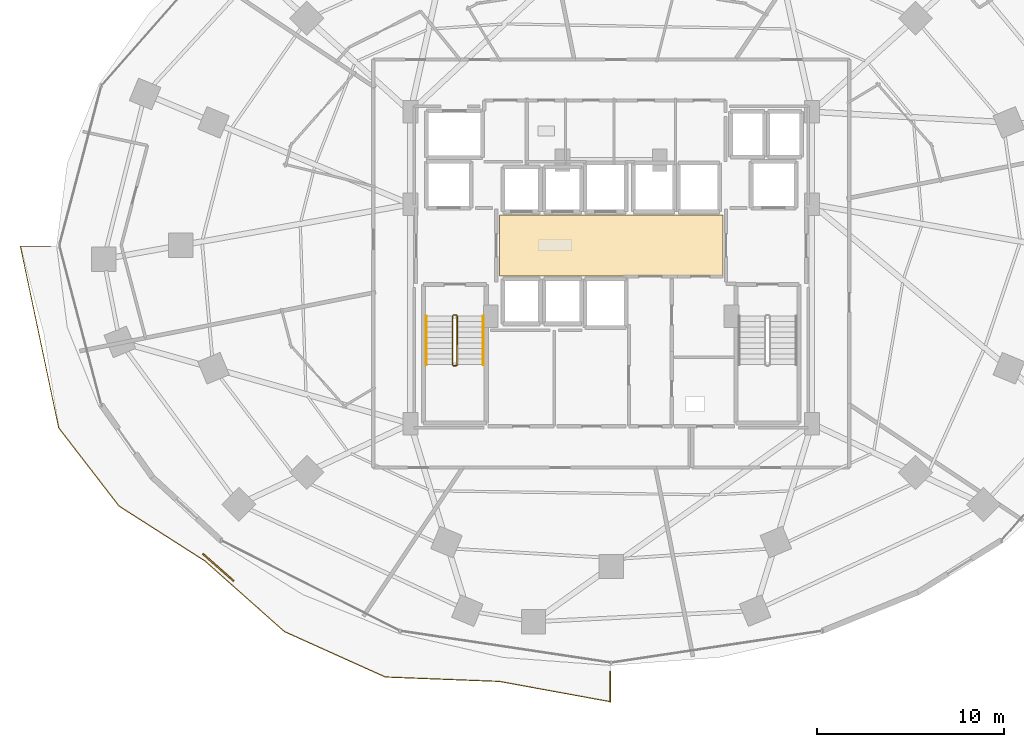
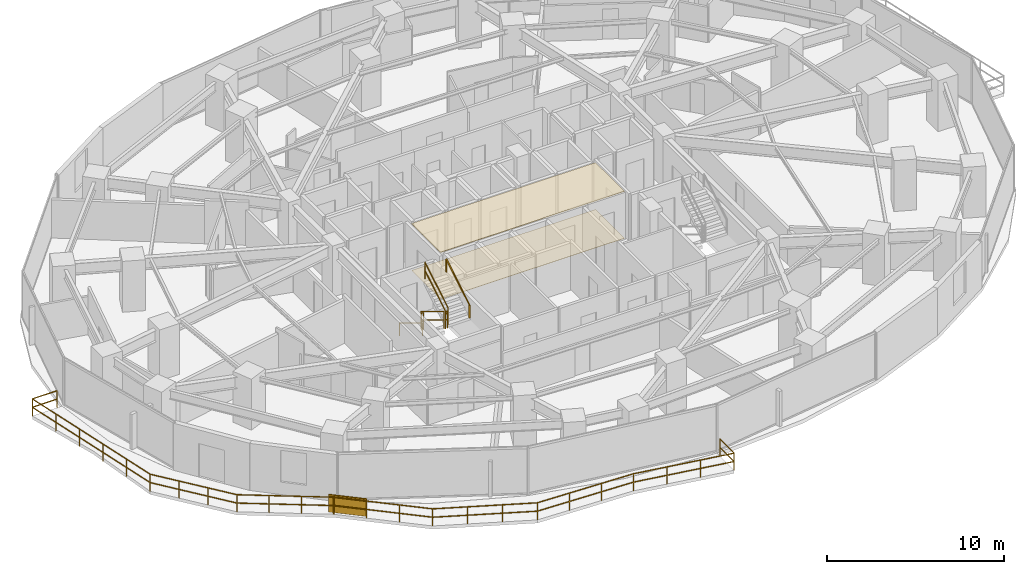
# One storey, part 28 of 30: 8 railings, 2 coverings, 1 shading device.
"""IFC4 building model written with IfcOpenShell, lengths in metres."""

from ifc_helpers import new_model, si_unit, direction, frame, origin, origin_2d, place, context, subcontext, project, spatial, polyline, rectangle, outline, extrude, material, layer, layer_set, type_object, element, save


model = new_model("IFC4")

# Units and contexts
model_context = context("Model", 3, precision=1e-05, world=origin(), true_north=direction((0.0, 1.0)))
body_context = subcontext(model_context, "Body", "Model", "MODEL_VIEW")
ifc_project = project(units=[si_unit("LENGTHUNIT", "METRE"), si_unit("AREAUNIT", "SQUARE_METRE"), si_unit("VOLUMEUNIT", "CUBIC_METRE"), si_unit("PLANEANGLEUNIT", "RADIAN"), si_unit("MASSUNIT", "GRAM", prefix="KILO")], contexts=[model_context])

# Site, building, storey
site_placement = place(None, origin())
site = spatial("IfcSite", under=ifc_project, at=site_placement, CompositionType="ELEMENT")
building_placement = place(site_placement, origin())
building = spatial("IfcBuilding", under=site, at=building_placement, Name="Vorneva Point Tower", CompositionType="ELEMENT")
storey_placement = place(building_placement, frame((0.0, 0.0, 41.5)))
storey = spatial("IfcBuildingStorey", under=building, at=storey_placement, Name="L10", CompositionType="ELEMENT", Elevation=41.5)

# Coverings
ifc_material_1 = material(Name="Perforated acoustic aluminium baffle ceiling", Category="aluminium")
ifc_layer_1 = layer(ifc_material_1, 0.030029296875)
ifc_layer_set_1 = layer_set([ifc_layer_1], Name="Perforated acoustic aluminium baffle ceiling")
covering_type_1 = type_object("IfcCoveringType", Name="COV-CEIL-BAF", PredefinedType="CEILING", material=ifc_layer_set_1)
covering_1_placement = place(storey_placement, frame((0.0, 0.0, 3.2099609375)))
element("IfcCovering", 1, at=covering_1_placement, inside=storey, type_object=covering_type_1, Name="L10 Lift Lobby Acoustic Baffle Ceiling", PredefinedType="CEILING", context=body_context, shape_type="SweptSolid", body=[
    extrude(outline(polyline([(32.02001953125, 24.3701171875), (43.97998046875, 24.3701171875), (43.97998046875, 27.6298828125), (32.02001953125, 27.6298828125), (32.02001953125, 24.3701171875)])), origin(), (0.0, 0.0, 1.0), 0.03515625),
])
ifc_material_2 = material(Name="Acoustic wool hospitality carpet", Category="textile")
ifc_layer_2 = layer(ifc_material_2, 0.01806640625)
ifc_layer_set_2 = layer_set([ifc_layer_2], Name="Acoustic wool hospitality carpet")
covering_type_2 = type_object("IfcCoveringType", Name="COV-FLR-CRP", PredefinedType="FLOORING", material=ifc_layer_set_2)
covering_2_placement = place(storey_placement, frame((0.0, 0.0, -0.0048828125)))
element("IfcCovering", 2, at=covering_2_placement, inside=storey, type_object=covering_type_2, Name="L10 Lift Lobby Floor Finish", PredefinedType="FLOORING", context=body_context, shape_type="SweptSolid", body=[
    extrude(outline(polyline([(32.02001953125, 24.3701171875), (43.97998046875, 24.3701171875), (43.97998046875, 27.6298828125), (32.02001953125, 27.6298828125), (32.02001953125, 24.3701171875)])), origin(), (0.0, 0.0, 1.0), 0.02294921875),
])

# Railings
ifc_material_3 = material(Name="Pale anodised aluminium", Category="aluminium")
railing_type_1 = type_object("IfcRailingType", Name="RL-BAL-1200", PredefinedType="BALUSTRADE", material=ifc_material_3)
railing_1_placement = place(storey_placement, frame((37.949951171875, 1.55908203125, 0.0)))
element("IfcRailing", 3, at=railing_1_placement, inside=storey, type_object=railing_type_1, Name="L10 Wave Balcony Balustrade SW.1", PredefinedType="BALUSTRADE", context=body_context, shape_type="SweptSolid", body=[
    extrude(rectangle(XDim=0.048095703125, YDim=0.048095703125, at=origin_2d()), frame((0.0, 0.0, 1.17578125), z_axis=(0.0, 1.0, 0.0), x_axis=(-1.0, 0.0, 0.0)), (0.0, 0.0, 1.0), 1.623779296875),
    extrude(rectangle(XDim=0.048095703125, YDim=0.048095703125, at=origin_2d()), frame((0.0, 0.0, 0.60009765625), z_axis=(0.0, 1.0, 0.0), x_axis=(-1.0, 0.0, 0.0)), (0.0, 0.0, 1.0), 1.623779296875),
    extrude(rectangle(XDim=0.0419921875, YDim=0.0419921875, at=origin_2d()), origin(), (0.0, 0.0, 1.0), 1.15185546875),
    extrude(rectangle(XDim=0.0419921875, YDim=0.0419921875, at=origin_2d()), frame((0.0, 1.623779296875, 0.0)), (0.0, 0.0, 1.0), 1.15185546875),
])
railing_2_placement = place(storey_placement, frame((7.98388671875, 25.949951171875, 0.0)))
element("IfcRailing", 4, at=railing_2_placement, inside=storey, type_object=railing_type_1, Name="L10 Wave Balcony Balustrade SW.2", PredefinedType="BALUSTRADE", context=body_context, shape_type="SweptSolid", body=[
    extrude(rectangle(XDim=0.048095703125, YDim=0.048095703125, at=origin_2d()), frame((0.0, 0.0, 1.17578125), z_axis=(-1.0, 0.0, 0.0), x_axis=(0.0, -1.0, 0.0)), (0.0, 0.0, 1.0), 1.62060546875),
    extrude(rectangle(XDim=0.048095703125, YDim=0.048095703125, at=origin_2d()), frame((0.0, 0.0, 0.60009765625), z_axis=(-1.0, 0.0, 0.0), x_axis=(0.0, -1.0, 0.0)), (0.0, 0.0, 1.0), 1.62060546875),
    extrude(rectangle(XDim=0.048095703125, YDim=0.048095703125, at=origin_2d()), frame((-1.62060546875, 0.0, 1.17578125), z_axis=(0.206314761506, -0.978485676535, 0.0), x_axis=(0.978485676535, 0.206314761506, 0.0)), (0.0, 0.0, 1.0), 9.947265625),
    extrude(rectangle(XDim=0.048095703125, YDim=0.048095703125, at=origin_2d()), frame((-1.62060546875, 0.0, 0.60009765625), z_axis=(0.206314761506, -0.978485676535, 0.0), x_axis=(0.978485676535, 0.206314761506, 0.0)), (0.0, 0.0, 1.0), 9.947265625),
    extrude(rectangle(XDim=0.048095703125, YDim=0.048095703125, at=origin_2d()), frame((0.431640625, -9.733154296875, 1.17578125), z_axis=(0.610666055033, -0.791888230264, 0.0), x_axis=(0.791888230264, 0.610666055033, 0.0)), (0.0, 0.0, 1.0), 5.28369140625),
    extrude(rectangle(XDim=0.048095703125, YDim=0.048095703125, at=origin_2d()), frame((0.431640625, -9.733154296875, 0.60009765625), z_axis=(0.610666055033, -0.791888230264, 0.0), x_axis=(0.791888230264, 0.610666055033, 0.0)), (0.0, 0.0, 1.0), 5.28369140625),
    extrude(rectangle(XDim=0.048095703125, YDim=0.048095703125, at=origin_2d()), frame((3.658203125, -13.917236328125, 1.17578125), z_axis=(0.842798797651, -0.538228749397, 0.0), x_axis=(0.538228749397, 0.842798797651, 0.0)), (0.0, 0.0, 1.0), 5.46044921875),
    extrude(rectangle(XDim=0.048095703125, YDim=0.048095703125, at=origin_2d()), frame((3.658203125, -13.917236328125, 0.60009765625), z_axis=(0.842798797651, -0.538228749397, 0.0), x_axis=(0.538228749397, 0.842798797651, 0.0)), (0.0, 0.0, 1.0), 5.46044921875),
    extrude(rectangle(XDim=0.048095703125, YDim=0.048095703125, at=origin_2d()), frame((8.26025390625, -16.856201171875, 1.17578125), z_axis=(0.747432986741, -0.664337211311, 0.0), x_axis=(0.664337211311, 0.747432986741, 0.0)), (0.0, 0.0, 1.0), 5.69091796875),
    extrude(rectangle(XDim=0.048095703125, YDim=0.048095703125, at=origin_2d()), frame((8.26025390625, -16.856201171875, 0.60009765625), z_axis=(0.747432986741, -0.664337211311, 0.0), x_axis=(0.664337211311, 0.747432986741, 0.0)), (0.0, 0.0, 1.0), 5.69091796875),
    extrude(rectangle(XDim=0.048095703125, YDim=0.048095703125, at=origin_2d()), frame((12.513916015625, -20.636962890625, 1.17578125), z_axis=(0.911854439194, -0.41051368031, 0.0), x_axis=(0.41051368031, 0.911854439194, 0.0)), (0.0, 0.0, 1.0), 5.927001953125),
    extrude(rectangle(XDim=0.048095703125, YDim=0.048095703125, at=origin_2d()), frame((12.513916015625, -20.636962890625, 0.60009765625), z_axis=(0.911854439194, -0.41051368031, 0.0), x_axis=(0.41051368031, 0.911854439194, 0.0)), (0.0, 0.0, 1.0), 5.927001953125),
    extrude(rectangle(XDim=0.048095703125, YDim=0.048095703125, at=origin_2d()), frame((17.91845703125, -23.070068359375, 1.17578125), z_axis=(0.999252656618, -0.038653955067, 0.0), x_axis=(0.038653955067, 0.999252656618, 0.0)), (0.0, 0.0, 1.0), 6.114013671875),
    extrude(rectangle(XDim=0.048095703125, YDim=0.048095703125, at=origin_2d()), frame((17.91845703125, -23.070068359375, 0.60009765625), z_axis=(0.999252656618, -0.038653955067, 0.0), x_axis=(0.038653955067, 0.999252656618, 0.0)), (0.0, 0.0, 1.0), 6.114013671875),
    extrude(rectangle(XDim=0.048095703125, YDim=0.048095703125, at=origin_2d()), frame((24.02783203125, -23.306396484375, 1.17578125), z_axis=(0.983729833809, -0.179654151288, 0.0), x_axis=(0.179654151288, 0.983729833809, 0.0)), (0.0, 0.0, 1.0), 6.036376953125),
    extrude(rectangle(XDim=0.048095703125, YDim=0.048095703125, at=origin_2d()), frame((24.02783203125, -23.306396484375, 0.60009765625), z_axis=(0.983729833809, -0.179654151288, 0.0), x_axis=(0.179654151288, 0.983729833809, 0.0)), (0.0, 0.0, 1.0), 6.036376953125),
    extrude(rectangle(XDim=0.0419921875, YDim=0.0419921875, at=origin_2d()), origin(), (0.0, 0.0, 1.0), 1.15185546875),
    extrude(rectangle(XDim=0.0419921875, YDim=0.0419921875, at=origin_2d()), frame((-1.62060546875, 0.0, 0.0)), (0.0, 0.0, 1.0), 1.15185546875),
    extrude(rectangle(XDim=0.0419921875, YDim=0.0419921875, at=origin_2d()), frame((-1.210205078125, -1.946533203125, 0.0)), (0.0, 0.0, 1.0), 1.15185546875),
    extrude(rectangle(XDim=0.0419921875, YDim=0.0419921875, at=origin_2d()), frame((-0.7998046875, -3.893310546875, 0.0)), (0.0, 0.0, 1.0), 1.15185546875),
    extrude(rectangle(XDim=0.0419921875, YDim=0.0419921875, at=origin_2d()), frame((-0.38916015625, -5.83984375, 0.0)), (0.0, 0.0, 1.0), 1.15185546875),
    extrude(rectangle(XDim=0.0419921875, YDim=0.0419921875, at=origin_2d()), frame((0.021240234375, -7.78662109375, 0.0)), (0.0, 0.0, 1.0), 1.15185546875),
    extrude(rectangle(XDim=0.0419921875, YDim=0.0419921875, at=origin_2d()), frame((0.431640625, -9.733154296875, 0.0)), (0.0, 0.0, 1.0), 1.15185546875),
    extrude(rectangle(XDim=0.0419921875, YDim=0.0419921875, at=origin_2d()), frame((1.507080078125, -11.1279296875, 0.0)), (0.0, 0.0, 1.0), 1.15185546875),
    extrude(rectangle(XDim=0.0419921875, YDim=0.0419921875, at=origin_2d()), frame((2.582763671875, -12.5224609375, 0.0)), (0.0, 0.0, 1.0), 1.15185546875),
    extrude(rectangle(XDim=0.0419921875, YDim=0.0419921875, at=origin_2d()), frame((3.658203125, -13.917236328125, 0.0)), (0.0, 0.0, 1.0), 1.15185546875),
    extrude(rectangle(XDim=0.0419921875, YDim=0.0419921875, at=origin_2d()), frame((5.192138671875, -14.89697265625, 0.0)), (0.0, 0.0, 1.0), 1.15185546875),
    extrude(rectangle(XDim=0.0419921875, YDim=0.0419921875, at=origin_2d()), frame((6.726318359375, -15.87646484375, 0.0)), (0.0, 0.0, 1.0), 1.15185546875),
    extrude(rectangle(XDim=0.0419921875, YDim=0.0419921875, at=origin_2d()), frame((8.26025390625, -16.856201171875, 0.0)), (0.0, 0.0, 1.0), 1.15185546875),
    extrude(rectangle(XDim=0.0419921875, YDim=0.0419921875, at=origin_2d()), frame((9.67822265625, -18.116455078125, 0.0)), (0.0, 0.0, 1.0), 1.15185546875),
    extrude(rectangle(XDim=0.0419921875, YDim=0.0419921875, at=origin_2d()), frame((11.095947265625, -19.376708984375, 0.0)), (0.0, 0.0, 1.0), 1.15185546875),
    extrude(rectangle(XDim=0.0419921875, YDim=0.0419921875, at=origin_2d()), frame((12.513916015625, -20.636962890625, 0.0)), (0.0, 0.0, 1.0), 1.15185546875),
    extrude(rectangle(XDim=0.0419921875, YDim=0.0419921875, at=origin_2d()), frame((14.3154296875, -21.447998046875, 0.0)), (0.0, 0.0, 1.0), 1.15185546875),
    extrude(rectangle(XDim=0.0419921875, YDim=0.0419921875, at=origin_2d()), frame((16.116943359375, -22.259033203125, 0.0)), (0.0, 0.0, 1.0), 1.15185546875),
    extrude(rectangle(XDim=0.0419921875, YDim=0.0419921875, at=origin_2d()), frame((17.91845703125, -23.070068359375, 0.0)), (0.0, 0.0, 1.0), 1.15185546875),
    extrude(rectangle(XDim=0.0419921875, YDim=0.0419921875, at=origin_2d()), frame((19.954833984375, -23.14892578125, 0.0)), (0.0, 0.0, 1.0), 1.15185546875),
    extrude(rectangle(XDim=0.0419921875, YDim=0.0419921875, at=origin_2d()), frame((21.991455078125, -23.2275390625, 0.0)), (0.0, 0.0, 1.0), 1.15185546875),
    extrude(rectangle(XDim=0.0419921875, YDim=0.0419921875, at=origin_2d()), frame((24.02783203125, -23.306396484375, 0.0)), (0.0, 0.0, 1.0), 1.15185546875),
    extrude(rectangle(XDim=0.0419921875, YDim=0.0419921875, at=origin_2d()), frame((26.00732421875, -23.66796875, 0.0)), (0.0, 0.0, 1.0), 1.15185546875),
    extrude(rectangle(XDim=0.0419921875, YDim=0.0419921875, at=origin_2d()), frame((27.986572265625, -24.029296875, 0.0)), (0.0, 0.0, 1.0), 1.15185546875),
    extrude(rectangle(XDim=0.0419921875, YDim=0.0419921875, at=origin_2d()), frame((29.966064453125, -24.390869140625, 0.0)), (0.0, 0.0, 1.0), 1.15185546875),
])
ifc_material_4 = material(Name="Brushed stainless steel S304", Category="steel")
railing_type_2 = type_object("IfcRailingType", Name="RL-HND-920", PredefinedType="HANDRAIL", material=ifc_material_4)
railing_3_placement = place(storey_placement, frame((28.10009765625, 22.219970703125, 0.175048828125)))
element("IfcRailing", 5, at=railing_3_placement, inside=storey, type_object=railing_type_2, Name="L10 ST1 stair handrail 1", PredefinedType="HANDRAIL", context=body_context, shape_type="SweptSolid", body=[
    extrude(rectangle(XDim=0.048095703125, YDim=0.048095703125, at=origin_2d()), frame((0.0, 0.0, 0.8759765625), z_axis=(0.0, -0.85618277418, 0.516673066065), x_axis=(1.0, 0.0, 0.0)), (0.0, 0.0, 1.0), 3.04833984375),
    extrude(rectangle(XDim=0.0419921875, YDim=0.0419921875, at=origin_2d()), origin(), (0.0, 0.0, 1.0), 0.851806640625),
    extrude(rectangle(XDim=0.0419921875, YDim=0.0419921875, at=origin_2d()), frame((0.0, -2.60986328125, 1.574951171875)), (0.0, 0.0, 1.0), 0.851806640625),
])
railing_4_placement = place(storey_placement, frame((31.14990234375, 19.610107421875, 1.925048828125)))
element("IfcRailing", 6, at=railing_4_placement, inside=storey, type_object=railing_type_2, Name="L10 ST1 stair handrail 2", PredefinedType="HANDRAIL", context=body_context, shape_type="SweptSolid", body=[
    extrude(rectangle(XDim=0.048095703125, YDim=0.048095703125, at=origin_2d()), frame((0.0, 0.0, 0.8759765625), z_axis=(0.0, 0.85618277418, 0.516673066065), x_axis=(-1.0, 0.0, 0.0)), (0.0, 0.0, 1.0), 3.04833984375),
    extrude(rectangle(XDim=0.0419921875, YDim=0.0419921875, at=origin_2d()), origin(), (0.0, 0.0, 1.0), 0.851806640625),
    extrude(rectangle(XDim=0.0419921875, YDim=0.0419921875, at=origin_2d()), frame((0.0, 2.60986328125, 1.574951171875)), (0.0, 0.0, 1.0), 0.851806640625),
])
railing_type_3 = type_object("IfcRailingType", Name="RL-STG-1100", PredefinedType="GUARDRAIL", material=ifc_material_4)
railing_5_placement = place(storey_placement, frame((29.5, 22.219970703125, 0.175048828125)))
element("IfcRailing", 7, at=railing_5_placement, inside=storey, type_object=railing_type_3, Name="L10 ST1 stair guard 1", PredefinedType="GUARDRAIL", context=body_context, shape_type="SweptSolid", body=[
    extrude(rectangle(XDim=0.048095703125, YDim=0.048095703125, at=origin_2d()), frame((0.0, 0.0, 1.17578125), z_axis=(0.0, -0.85618277418, 0.516673066065), x_axis=(1.0, 0.0, 0.0)), (0.0, 0.0, 1.0), 3.04833984375),
    extrude(rectangle(XDim=0.048095703125, YDim=0.048095703125, at=origin_2d()), frame((0.0, 0.0, 0.60009765625), z_axis=(0.0, -0.85618277418, 0.516673066065), x_axis=(1.0, 0.0, 0.0)), (0.0, 0.0, 1.0), 3.04833984375),
    extrude(rectangle(XDim=0.0419921875, YDim=0.0419921875, at=origin_2d()), origin(), (0.0, 0.0, 1.0), 1.15185546875),
    extrude(rectangle(XDim=0.0419921875, YDim=0.0419921875, at=origin_2d()), frame((0.0, -2.60986328125, 1.574951171875)), (0.0, 0.0, 1.0), 1.15185546875),
])
railing_6_placement = place(storey_placement, frame((29.550048828125, 19.56005859375, 1.75)))
element("IfcRailing", 8, at=railing_6_placement, inside=storey, type_object=railing_type_3, Name="L10 ST1 stair guard 2", PredefinedType="GUARDRAIL", context=body_context, shape_type="SweptSolid", body=[
    extrude(rectangle(XDim=0.048095703125, YDim=0.048095703125, at=origin_2d()), frame((0.0, 0.0, 1.17578125), z_axis=(1.0, 0.0, 0.0), x_axis=(0.0, 1.0, 0.0)), (0.0, 0.0, 1.0), 0.14990234375),
    extrude(rectangle(XDim=0.048095703125, YDim=0.048095703125, at=origin_2d()), frame((0.0, 0.0, 0.60009765625), z_axis=(1.0, 0.0, 0.0), x_axis=(0.0, 1.0, 0.0)), (0.0, 0.0, 1.0), 0.14990234375),
    extrude(rectangle(XDim=0.0419921875, YDim=0.0419921875, at=origin_2d()), origin(), (0.0, 0.0, 1.0), 1.15185546875),
    extrude(rectangle(XDim=0.0419921875, YDim=0.0419921875, at=origin_2d()), frame((0.14990234375, 0.0, 0.0)), (0.0, 0.0, 1.0), 1.15185546875),
])
railing_7_placement = place(storey_placement, frame((29.75, 19.610107421875, 1.925048828125)))
element("IfcRailing", 9, at=railing_7_placement, inside=storey, type_object=railing_type_3, Name="L10 ST1 stair guard 3", PredefinedType="GUARDRAIL", context=body_context, shape_type="SweptSolid", body=[
    extrude(rectangle(XDim=0.048095703125, YDim=0.048095703125, at=origin_2d()), frame((0.0, 0.0, 1.17578125), z_axis=(0.0, 0.85618277418, 0.516673066065), x_axis=(-1.0, 0.0, 0.0)), (0.0, 0.0, 1.0), 3.04833984375),
    extrude(rectangle(XDim=0.048095703125, YDim=0.048095703125, at=origin_2d()), frame((0.0, 0.0, 0.60009765625), z_axis=(0.0, 0.85618277418, 0.516673066065), x_axis=(-1.0, 0.0, 0.0)), (0.0, 0.0, 1.0), 3.04833984375),
    extrude(rectangle(XDim=0.0419921875, YDim=0.0419921875, at=origin_2d()), origin(), (0.0, 0.0, 1.0), 1.15185546875),
    extrude(rectangle(XDim=0.0419921875, YDim=0.0419921875, at=origin_2d()), frame((0.0, 2.60986328125, 1.574951171875)), (0.0, 0.0, 1.0), 1.15185546875),
])
railing_8_placement = place(storey_placement, frame((29.550048828125, 22.27001953125, 0.0)))
element("IfcRailing", 10, at=railing_8_placement, inside=storey, type_object=railing_type_3, Name="L10 ST1 stair guard 4", PredefinedType="GUARDRAIL", context=body_context, shape_type="SweptSolid", body=[
    extrude(rectangle(XDim=0.048095703125, YDim=0.048095703125, at=origin_2d()), frame((0.0, 0.0, 1.17578125), z_axis=(1.0, 0.0, 0.0), x_axis=(0.0, 1.0, 0.0)), (0.0, 0.0, 1.0), 0.14990234375),
    extrude(rectangle(XDim=0.048095703125, YDim=0.048095703125, at=origin_2d()), frame((0.0, 0.0, 0.60009765625), z_axis=(1.0, 0.0, 0.0), x_axis=(0.0, 1.0, 0.0)), (0.0, 0.0, 1.0), 0.14990234375),
    extrude(rectangle(XDim=0.0419921875, YDim=0.0419921875, at=origin_2d()), origin(), (0.0, 0.0, 1.0), 1.15185546875),
    extrude(rectangle(XDim=0.0419921875, YDim=0.0419921875, at=origin_2d()), frame((0.14990234375, 0.0, 0.0)), (0.0, 0.0, 1.0), 1.15185546875),
])

# Shading device
shading_device_type = type_object("IfcShadingDeviceType", Name="SHD-JAL-1200", PredefinedType="JALOUSIE", material=ifc_material_3)
shading_device_placement = place(storey_placement, frame((16.95361328125, 8.75390625, -0.02001953125), z_axis=(0.0, 0.0, 1.0), x_axis=(0.747461951473, -0.664304622218, 0.0)))
element("IfcShadingDevice", 11, at=shading_device_placement, inside=storey, type_object=shading_device_type, Name="L10 Balcony Vertical-Greenery Planter Screen SW.2", PredefinedType="JALOUSIE", context=body_context, shape_type="SweptSolid", body=[
    extrude(rectangle(XDim=2.199951171875, YDim=0.080078125, at=origin_2d()), origin(), (0.0, 0.0, 1.0), 1.199951171875),
])

save(model, "model.ifc")
